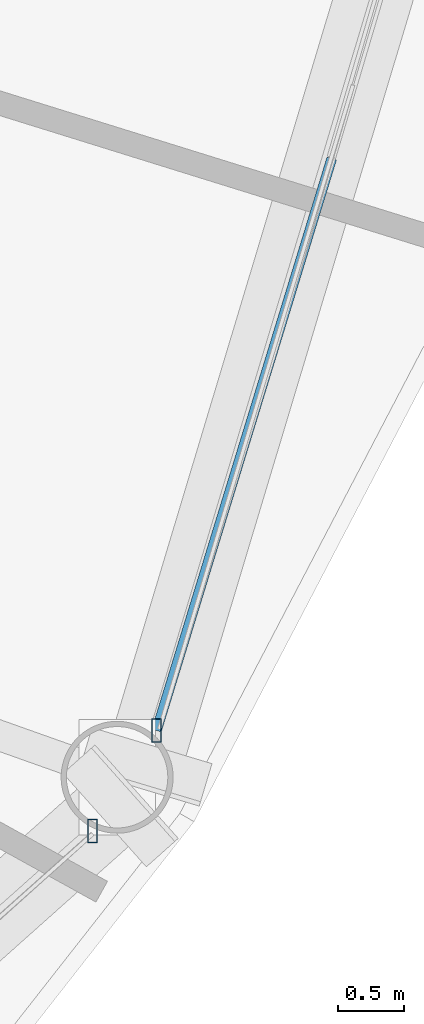
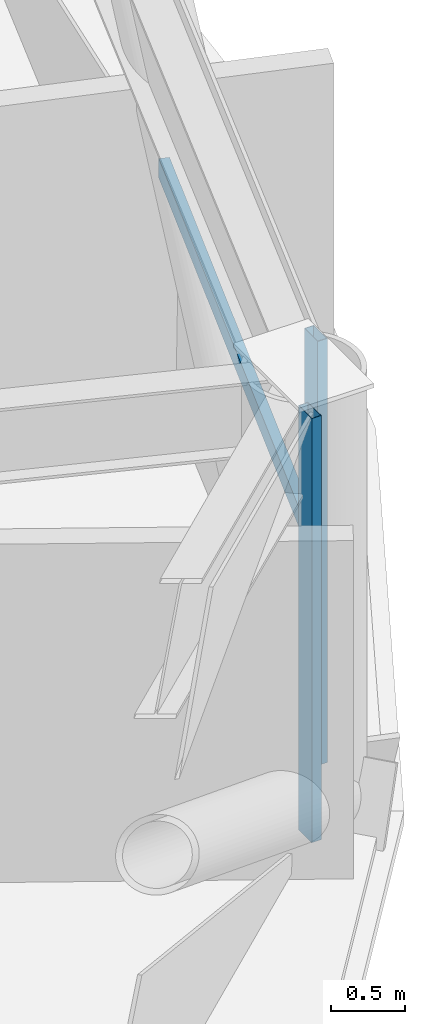
# One storey, part 10 of 30: 3 members, 2 elements without a shape of their own.
"""IFC4 building model written with IfcOpenShell, lengths in metres."""

from ifc_helpers import new_model, si_unit, direction, frame, origin, origin_2d, place, context, subcontext, project, spatial, hollow_rectangle, extrude, material, layer, layer_set, material_profile, profile_set, type_object, element, aggregate, save


model = new_model("IFC4")

# Units and contexts
model_context = context("Model", 3, precision=1e-05, world=origin(), true_north=direction((0.0, 1.0)))
body_context = subcontext(model_context, "Body", "Model", "MODEL_VIEW")
ifc_project = project(units=[si_unit("LENGTHUNIT", "METRE"), si_unit("AREAUNIT", "SQUARE_METRE"), si_unit("VOLUMEUNIT", "CUBIC_METRE"), si_unit("PLANEANGLEUNIT", "RADIAN"), si_unit("MASSUNIT", "GRAM", prefix="KILO")], contexts=[model_context])

# Site, building, storey
site_placement = place(None, origin())
site = spatial("IfcSite", under=ifc_project, at=site_placement, CompositionType="ELEMENT")
building_placement = place(site_placement, origin())
building = spatial("IfcBuilding", under=site, at=building_placement, Name="Vantalir Tower", CompositionType="ELEMENT")
storey_placement = place(building_placement, frame((0.0, 0.0, 79.5)))
storey = spatial("IfcBuildingStorey", under=building, at=storey_placement, Name="L19", CompositionType="ELEMENT", Elevation=79.5)

# Curtain wall, member
ifc_material_1 = material(Name="Champagne-silver PVDF aluminium and double-silver Low-E glass", Category="aluminium")
ifc_layer = layer(ifc_material_1, 0.18994140625)
ifc_layer_set = layer_set([ifc_layer], Name="Champagne-silver PVDF aluminium and double-silver Low-E glass")
curtain_wall_type = type_object("IfcCurtainWallType", Name="CW-DIAMOND-Z1", PredefinedType="USERDEFINED", material=ifc_layer_set)
curtain_wall_1_placement = place(storey_placement, origin())
curtain_wall_1 = element("IfcCurtainWall", 1, at=curtain_wall_1_placement, inside=storey, type_object=curtain_wall_type, Name="L19 Quilted Pyramid-Diamond Curtain Wall S11", ObjectType="UNITISED CURTAIN WALL", PredefinedType="USERDEFINED")
ifc_material_2 = material(Name="Champagne-silver PVDF aluminium 6063-T6", Category="aluminium")
ifc_material_profile_1 = material_profile(ifc_material_2, hollow_rectangle(XDim=0.074951171875, YDim=0.179931640625, WallThickness=0.00390625, at=origin_2d()), Name="Champagne-silver PVDF aluminium 6063-T6")
ifc_profile_set_1 = profile_set([ifc_material_profile_1], Name="Champagne-silver PVDF aluminium 6063-T6")
member_type_1 = type_object("IfcMemberType", Name="CWM-180x75", PredefinedType="MULLION", material=ifc_profile_set_1)
member_1_placement = place(storey_placement, frame((55.12890625, 12.343994140625, 0.044921875), z_axis=(0.0, 0.0, 1.0), x_axis=(1.0, 0.0, 0.0)))
member_1 = element("IfcMember", 2, at=member_1_placement, type_object=member_type_1, Name="CW-L19-S11 Mullion 2", PredefinedType="MULLION", context=body_context, shape_type="SweptSolid", body=[
    extrude(hollow_rectangle(XDim=0.074951171875, YDim=0.179931640625, WallThickness=0.00390625, at=origin_2d()), origin(), (0.0, 0.0, 1.0), 3.47998046875),
])
aggregate(curtain_wall_1, [member_1])

# Curtain wall, members
curtain_wall_2_placement = place(storey_placement, origin())
curtain_wall_2 = element("IfcCurtainWall", 3, at=curtain_wall_2_placement, inside=storey, type_object=curtain_wall_type, Name="L19 Quilted Pyramid-Diamond Curtain Wall S12", ObjectType="UNITISED CURTAIN WALL", PredefinedType="USERDEFINED")
member_2_placement = place(storey_placement, frame((55.614990234375, 13.10693359375, 0.044921875), z_axis=(0.0, 0.0, 1.0), x_axis=(1.0, 0.0, 0.0)))
member_2 = element("IfcMember", 4, at=member_2_placement, type_object=member_type_1, Name="CW-L19-S12 Mullion 1", PredefinedType="MULLION", context=body_context, shape_type="SweptSolid", body=[
    extrude(hollow_rectangle(XDim=0.074951171875, YDim=0.179931640625, WallThickness=0.00390625, at=origin_2d()), origin(), (0.0, 0.0, 1.0), 3.47998046875),
])
ifc_material_profile_2 = material_profile(ifc_material_2, hollow_rectangle(XDim=0.074951171875, YDim=0.159912109375, WallThickness=0.00390625, at=origin_2d()), Name="Champagne-silver PVDF aluminium 6063-T6")
ifc_profile_set_2 = profile_set([ifc_material_profile_2], Name="Champagne-silver PVDF aluminium 6063-T6")
member_type_2 = type_object("IfcMemberType", Name="CWT-160x75", PredefinedType="USERDEFINED", material=ifc_profile_set_2)
member_3_placement = place(storey_placement, frame((55.614990234375, 13.10693359375, 1.784912109375), z_axis=(0.292891826901, 0.956145583964, 0.0), x_axis=(-0.956145583964, 0.292891826901, 0.0)))
member_3 = element("IfcMember", 5, at=member_3_placement, type_object=member_type_2, Name="CW-L19-S12 Pyramid Fold Ridge Transom", ObjectType="TRANSOM", PredefinedType="USERDEFINED", context=body_context, shape_type="SweptSolid", body=[
    extrude(hollow_rectangle(XDim=0.074951171875, YDim=0.159912109375, WallThickness=0.00390625, at=origin_2d()), origin(), (0.0, 0.0, 1.0), 4.541259765625),
])
aggregate(curtain_wall_2, [member_2, member_3])

save(model, "model.ifc")
